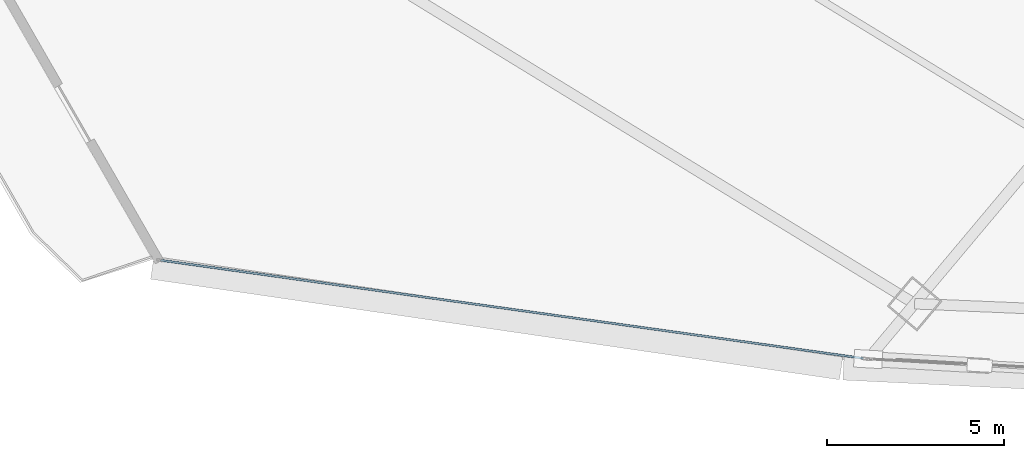
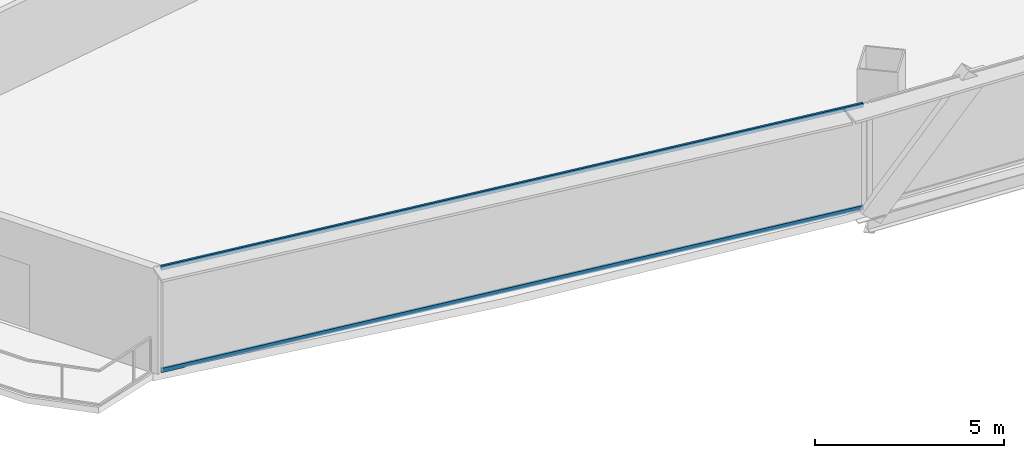
# One storey, part 3 of 38: 2 members, 1 element without a shape of its own.
"""IFC4 building model written with IfcOpenShell, lengths in metres."""

from ifc_helpers import new_model, si_unit, direction, frame, origin, origin_2d, place, context, subcontext, project, spatial, hollow_rectangle, extrude, source, transform, mapped, material, layer, layer_set, material_profile, profile_set, type_object, element, aggregate, save


model = new_model("IFC4")

# Units and contexts
model_context = context("Model", 3, precision=1e-05, world=origin(), true_north=direction((0.0, 1.0)))
body_context = subcontext(model_context, "Body", "Model", "MODEL_VIEW")
ifc_project = project(units=[si_unit("LENGTHUNIT", "METRE"), si_unit("AREAUNIT", "SQUARE_METRE"), si_unit("VOLUMEUNIT", "CUBIC_METRE"), si_unit("PLANEANGLEUNIT", "RADIAN"), si_unit("MASSUNIT", "GRAM", prefix="KILO"), si_unit("THERMODYNAMICTEMPERATUREUNIT", "KELVIN"), si_unit("POWERUNIT", "WATT")], contexts=[model_context])

# Site, building, storey
site_placement = place(None, origin())
site = spatial("IfcSite", under=ifc_project, at=site_placement, CompositionType="ELEMENT")
building_placement = place(site_placement, origin())
building = spatial("IfcBuilding", under=site, at=building_placement, Name="Yunzhuo Pagoda Commons", CompositionType="ELEMENT")
storey_placement = place(building_placement, frame((0.0, 0.0, 34.030029296875)))
storey = spatial("IfcBuildingStorey", under=building, at=storey_placement, Name="L08", CompositionType="ELEMENT", Elevation=34.030029296875)

# Curtain wall, members
ifc_material = material(Name="Anodized aluminium 6063-T6", Category="aluminium")
ifc_layer = layer(ifc_material, 0.1650390625)
ifc_layer_set = layer_set([ifc_layer], Name="Anodized aluminium 6063-T6")
curtain_wall_type = type_object("IfcCurtainWallType", Name="CW-LOW Low-Zone Ribbon Curtain Wall", PredefinedType="NOTDEFINED", material=ifc_layer_set)
curtain_wall_placement = place(storey_placement, origin())
curtain_wall = element("IfcCurtainWall", 1, at=curtain_wall_placement, inside=storey, type_object=curtain_wall_type, Name="L08 curtain wall CW-L08-F1B1", PredefinedType="NOTDEFINED")
ifc_material_profile = material_profile(ifc_material, hollow_rectangle(XDim=0.06005859375, YDim=0.139892578125, WallThickness=0.00341796875, at=origin_2d()), Name="Anodized aluminium 6063-T6")
ifc_profile_set = profile_set([ifc_material_profile], Name="Anodized aluminium 6063-T6")
member_type = type_object("IfcMemberType", Name="CW-LOW-T Transom RHS 140x60x3.5", PredefinedType="USERDEFINED", material=ifc_profile_set)
shared_shape = source(origin(), body_context, "Body", "SweptSolid", [
    extrude(hollow_rectangle(XDim=0.06005859375, YDim=0.139892578125, WallThickness=0.00341796875, at=origin_2d()), origin(), (0.0, 0.0, 1.0), 20.06201171875),
])
member_1_placement = place(storey_placement, frame((9.17919921875, 14.0732421875, 0.030029296875), z_axis=(0.990391410745, -0.138292637271, 0.0), x_axis=(0.138292637271, 0.990391410745, 0.0)))
member_1 = element("IfcMember", 2, at=member_1_placement, type_object=member_type, Name="CW transom 1.1", ObjectType="TRANSOM", PredefinedType="USERDEFINED", context=body_context, shape_type="MappedRepresentation", body=[
    mapped(shared_shape, transform((0.0, 0.0, 0.0), scale=1.0)),
])
member_2_placement = place(storey_placement, frame((9.17919921875, 14.0732421875, 3.340087890625), z_axis=(0.990391410745, -0.138292637271, 0.0), x_axis=(0.138292637271, 0.990391410745, 0.0)))
member_2 = element("IfcMember", 3, at=member_2_placement, type_object=member_type, Name="CW transom 1.2", ObjectType="TRANSOM", PredefinedType="USERDEFINED", context=body_context, shape_type="MappedRepresentation", body=[
    mapped(shared_shape, transform((0.0, 0.0, 0.0), scale=1.0)),
])
aggregate(curtain_wall, [member_1, member_2])

save(model, "model.ifc")
